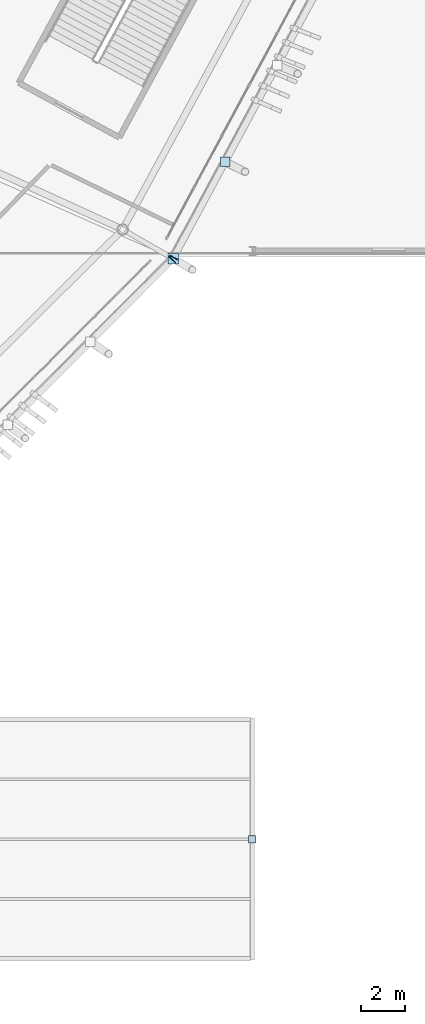
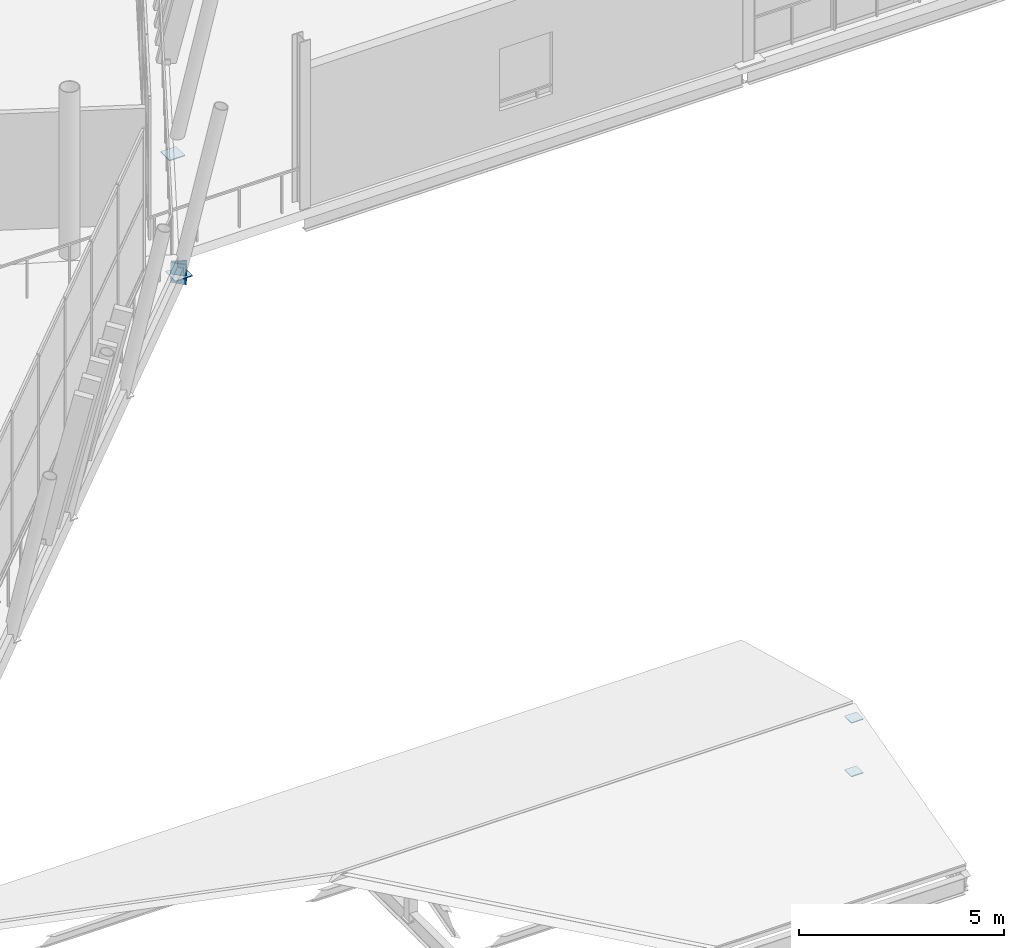
# One storey, part 112 of 179: 6 plates.
"""IFC4 building model written with IfcOpenShell, lengths in metres."""

from ifc_helpers import new_model, si_unit, direction, frame, origin, origin_2d, place, context, subcontext, project, spatial, rectangle, extrude, material, layer, layer_set, type_object, element, save


model = new_model("IFC4")

# Units and contexts
model_context = context("Model", 3, precision=1e-05, world=origin(), true_north=direction((0.0, 1.0)))
body_context = subcontext(model_context, "Body", "Model", "MODEL_VIEW")
ifc_project = project(units=[si_unit("LENGTHUNIT", "METRE"), si_unit("AREAUNIT", "SQUARE_METRE"), si_unit("VOLUMEUNIT", "CUBIC_METRE"), si_unit("PLANEANGLEUNIT", "RADIAN"), si_unit("MASSUNIT", "GRAM", prefix="KILO")], contexts=[model_context])

# Site, building, storey
site_placement = place(None, origin())
site = spatial("IfcSite", under=ifc_project, at=site_placement, CompositionType="ELEMENT")
building_placement = place(site_placement, origin())
building = spatial("IfcBuilding", under=site, at=building_placement, Name="Zlatoyarsky Gate Stadium", CompositionType="ELEMENT")
storey_placement = place(building_placement, frame((0.0, 0.0, 10.60009765625)))
storey = spatial("IfcBuildingStorey", under=building, at=storey_placement, Name="L02", CompositionType="ELEMENT", Elevation=10.60009765625)

# Plates
ifc_material = material(Name="Steel S355", Category="steel")
ifc_layer = layer(ifc_material, 0.02392578125)
ifc_layer_set = layer_set([ifc_layer], Name="Steel S355")
plate_type = type_object("IfcPlateType", Name="STEEL HOLLOW CHORD SPLICE SHEET 24", PredefinedType="SHEET", material=ifc_layer_set)
for number, where, z_axis, x_axis, name in (
    (1, (193.8154296875, 43.119384765625, -0.830078125), (0.0, 0.0, 1.0), (0.705852241353, 0.70835909917, 0.0), "Hollow end cap ND-SP1 CAP-L02-SPD-21 B"),
    (2, (193.88623046875, 43.21484375, -0.830078125), (0.0, 0.0, 1.0), (0.473712307926, 0.880679651928, 0.0), "Hollow end cap ND-SP1 CAP-L02-SPD-22 A"),
):
    element("IfcPlate", number, at=place(storey_placement, frame(where, z_axis=z_axis, x_axis=x_axis)), inside=storey, type_object=plate_type, Name=name, PredefinedType="SHEET", context=body_context, shape_type="SweptSolid", body=[
        extrude(rectangle(XDim=0.02392578125, YDim=0.39990234375, at=origin_2d()), origin(), (0.0, 0.0, 1.0), 0.60009765625),
    ])
plate_1_placement = place(storey_placement, frame((193.85791015625, 43.162109375, -0.592041015625), z_axis=(0.0, 0.0, 1.0), x_axis=(1.0, 0.0, 0.0)))
element("IfcPlate", 3, at=plate_1_placement, inside=storey, type_object=plate_type, Name="Node closure plate ND-SP1 NCAP-L02-RSTR-22", PredefinedType="SHEET", context=body_context, shape_type="SweptSolid", body=[
    extrude(rectangle(XDim=0.47998046875, YDim=0.47998046875, at=origin_2d()), origin(), (0.0, 0.0, 1.0), 0.02392578125),
])
plate_2_placement = place(storey_placement, frame((196.247314453125, 47.604248046875, -0.5419921875), z_axis=(0.0, 0.0, 1.0), x_axis=(1.0, 0.0, 0.0)))
element("IfcPlate", 4, at=plate_2_placement, inside=storey, type_object=plate_type, Name="Node closure plate ND-SP1 NCAP-RIB-22-1-0T", PredefinedType="SHEET", context=body_context, shape_type="SweptSolid", body=[
    extrude(rectangle(XDim=0.43994140625, YDim=0.43994140625, at=origin_2d()), origin(), (0.0, 0.0, 1.0), 0.02392578125),
])
for number, where, z_axis, x_axis, name in (
    (5, (197.5, 16.5, -0.5419921875), (0.0, 0.0, 1.0), (1.0, 0.0, 0.0), "Node closure plate ND-SP1 NCAP-KP-V6_SE-3A"),
    (6, (197.5, 16.5, 1.057861328125), (0.0, 0.0, 1.0), (1.0, 0.0, 0.0), "Node closure plate ND-SP1 NCAP-KP-V6_SE-3B"),
):
    element("IfcPlate", number, at=place(storey_placement, frame(where, z_axis=z_axis, x_axis=x_axis)), inside=storey, type_object=plate_type, Name=name, PredefinedType="SHEET", context=body_context, shape_type="SweptSolid", body=[
        extrude(rectangle(XDim=0.340087890625, YDim=0.340087890625, at=origin_2d()), origin(), (0.0, 0.0, 1.0), 0.02392578125),
    ])

save(model, "model.ifc")
